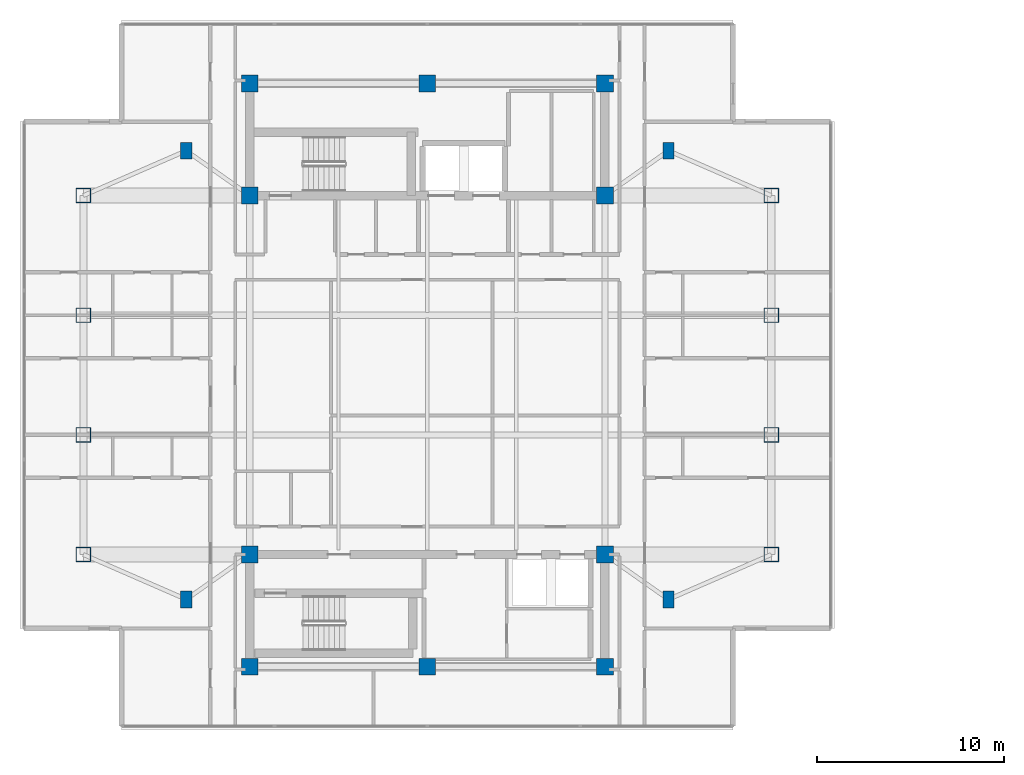
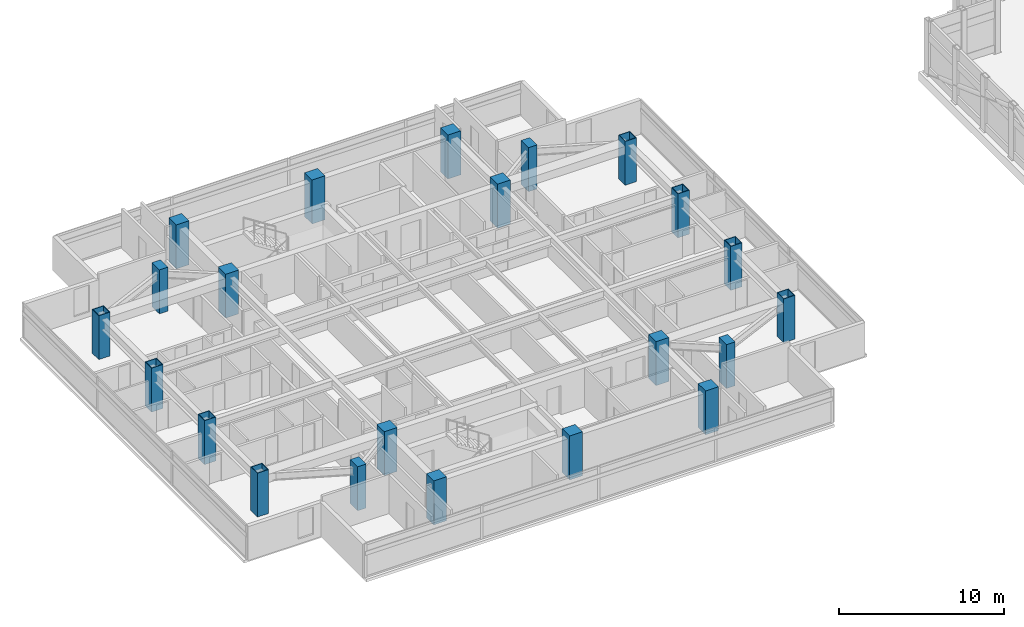
# One storey, part 1 of 17: 22 columns.
"""IFC4 building model written with IfcOpenShell, lengths in metres."""

from ifc_helpers import new_model, si_unit, direction, frame, origin, origin_2d, place, context, subcontext, project, spatial, rectangle, hollow_rectangle, extrude, material, material_profile, profile_set, type_object, element, save


model = new_model("IFC4")

# Units and contexts
model_context = context("Model", 3, precision=1e-05, world=origin(), true_north=direction((0.0, 1.0)))
body_context = subcontext(model_context, "Body", "Model", "MODEL_VIEW")
ifc_project = project(units=[si_unit("LENGTHUNIT", "METRE"), si_unit("AREAUNIT", "SQUARE_METRE"), si_unit("VOLUMEUNIT", "CUBIC_METRE"), si_unit("PLANEANGLEUNIT", "RADIAN"), si_unit("MASSUNIT", "GRAM", prefix="KILO")], contexts=[model_context])

# Site, building, storey
site_placement = place(None, origin())
site = spatial("IfcSite", under=ifc_project, at=site_placement, CompositionType="ELEMENT")
building_placement = place(site_placement, origin())
building = spatial("IfcBuilding", under=site, at=building_placement, Name="Mirazonda Arch Towers", CompositionType="ELEMENT")
storey_placement = place(building_placement, frame((0.0, 0.0, 209.64990234375)))
storey = spatial("IfcBuildingStorey", under=building, at=storey_placement, Name="L60", CompositionType="ELEMENT", Elevation=209.64990234375)

# Columns
ifc_material_1 = material(Name="Concrete C50/60", Category="concrete")
ifc_material_profile_1 = material_profile(ifc_material_1, rectangle(XDim=0.89990234375, YDim=0.89990234375, at=origin_2d()), Name="RC900x900")
ifc_profile_set_1 = profile_set([ifc_material_profile_1], Name="Concrete C50/60")
column_type_1 = type_object("IfcColumnType", Name="COL-INT-RC900x900", PredefinedType="COLUMN", material=ifc_profile_set_1)
for number, where, z_axis, x_axis, name in (
    (1, (11.0, 12.39990234375, 0.0), (0.0, 0.0, 1.0), (1.0, 0.0, 0.0), "L60 T1 Core Column 01"),
    (2, (20.5, 12.39990234375, 0.0), (0.0, 0.0, 1.0), (1.0, 0.0, 0.0), "L60 T1 Core Column 02"),
    (3, (30.0, 12.39990234375, 0.0), (0.0, 0.0, 1.0), (1.0, 0.0, 0.0), "L60 T1 Core Column 03"),
    (4, (11.0, 18.39990234375, 0.0), (0.0, 0.0, 1.0), (1.0, 0.0, 0.0), "L60 T1 Core Column 04"),
    (5, (30.0, 18.39990234375, 0.0), (0.0, 0.0, 1.0), (1.0, 0.0, 0.0), "L60 T1 Core Column 05"),
    (6, (11.0, 37.60009765625, 0.0), (0.0, 0.0, 1.0), (1.0, 0.0, 0.0), "L60 T1 Core Column 06"),
    (7, (30.0, 37.60009765625, 0.0), (0.0, 0.0, 1.0), (1.0, 0.0, 0.0), "L60 T1 Core Column 07"),
    (8, (11.0, 43.60009765625, 0.0), (0.0, 0.0, 1.0), (1.0, 0.0, 0.0), "L60 T1 Core Column 08"),
    (9, (20.5, 43.60009765625, 0.0), (0.0, 0.0, 1.0), (1.0, 0.0, 0.0), "L60 T1 Core Column 09"),
    (10, (30.0, 43.60009765625, 0.0), (0.0, 0.0, 1.0), (1.0, 0.0, 0.0), "L60 T1 Core Column 10"),
):
    element("IfcColumn", number, at=place(storey_placement, frame(where, z_axis=z_axis, x_axis=x_axis)), inside=storey, type_object=column_type_1, Name=name, PredefinedType="COLUMN", context=body_context, shape_type="SweptSolid", body=[
        extrude(rectangle(XDim=0.89990234375, YDim=0.89990234375, at=origin_2d()), origin(), (0.0, 0.0, 1.0), 3.25),
    ])
ifc_material_2 = material(Name="Steel ASTM A572 Grade 50", Category="steel")
ifc_material_profile_2 = material_profile(ifc_material_2, hollow_rectangle(XDim=0.800048828125, YDim=0.800048828125, WallThickness=0.044921875, at=origin_2d()), Name="BOX800x800x45")
ifc_profile_set_2 = profile_set([ifc_material_profile_2], Name="Steel ASTM A572 Grade 50")
column_type_2 = type_object("IfcColumnType", Name="MCOL-EXT-BOX800x800x45", PredefinedType="COLUMN", material=ifc_profile_set_2)
for number, where, z_axis, x_axis, name in (
    (11, (2.10009765625, 18.39990234375, 0.0), (0.0, 0.0, 1.0), (1.0, 0.0, 0.0), "L60 T1 Composite Mega-Column 01"),
    (12, (2.10009765625, 24.800048828125, 0.0), (0.0, 0.0, 1.0), (1.0, 0.0, 0.0), "L60 T1 Composite Mega-Column 02"),
    (13, (2.10009765625, 31.199951171875, 0.0), (0.0, 0.0, 1.0), (1.0, 0.0, 0.0), "L60 T1 Composite Mega-Column 03"),
    (14, (2.10009765625, 37.60009765625, 0.0), (0.0, 0.0, 1.0), (1.0, 0.0, 0.0), "L60 T1 Composite Mega-Column 04"),
    (15, (38.89990234375, 18.39990234375, 0.0), (0.0, 0.0, 1.0), (1.0, 0.0, 0.0), "L60 T1 Composite Mega-Column 05"),
    (16, (38.89990234375, 24.800048828125, 0.0), (0.0, 0.0, 1.0), (1.0, 0.0, 0.0), "L60 T1 Composite Mega-Column 06"),
    (17, (38.89990234375, 31.199951171875, 0.0), (0.0, 0.0, 1.0), (1.0, 0.0, 0.0), "L60 T1 Composite Mega-Column 07"),
    (18, (38.89990234375, 37.60009765625, 0.0), (0.0, 0.0, 1.0), (1.0, 0.0, 0.0), "L60 T1 Composite Mega-Column 08"),
):
    element("IfcColumn", number, at=place(storey_placement, frame(where, z_axis=z_axis, x_axis=x_axis)), inside=storey, type_object=column_type_2, Name=name, PredefinedType="COLUMN", context=body_context, shape_type="SweptSolid", body=[
        extrude(hollow_rectangle(XDim=0.800048828125, YDim=0.800048828125, WallThickness=0.044921875, at=origin_2d()), origin(), (0.0, 0.0, 1.0), 3.25),
    ])
ifc_material_profile_3 = material_profile(ifc_material_1, rectangle(XDim=0.60009765625, YDim=0.89990234375, at=origin_2d()), Name="RC900x600")
ifc_profile_set_3 = profile_set([ifc_material_profile_3], Name="Concrete C50/60")
column_type_3 = type_object("IfcColumnType", Name="PIL-EXT-RC900x600", PredefinedType="PILASTER", material=ifc_profile_set_3)
for number, where, z_axis, x_axis, name in (
    (19, (7.60009765625, 16.0, 0.0), (0.0, 0.0, 1.0), (1.0, 0.0, 0.0), "L60 T1 Corner Pilaster 01"),
    (20, (33.39990234375, 16.0, 0.0), (0.0, 0.0, 1.0), (1.0, 0.0, 0.0), "L60 T1 Corner Pilaster 02"),
    (21, (7.60009765625, 40.0, 0.0), (0.0, 0.0, 1.0), (1.0, 0.0, 0.0), "L60 T1 Corner Pilaster 03"),
    (22, (33.39990234375, 40.0, 0.0), (0.0, 0.0, 1.0), (1.0, 0.0, 0.0), "L60 T1 Corner Pilaster 04"),
):
    element("IfcColumn", number, at=place(storey_placement, frame(where, z_axis=z_axis, x_axis=x_axis)), inside=storey, type_object=column_type_3, Name=name, PredefinedType="PILASTER", context=body_context, shape_type="SweptSolid", body=[
        extrude(rectangle(XDim=0.60009765625, YDim=0.89990234375, at=origin_2d()), origin(), (0.0, 0.0, 1.0), 3.25),
    ])

save(model, "model.ifc")
